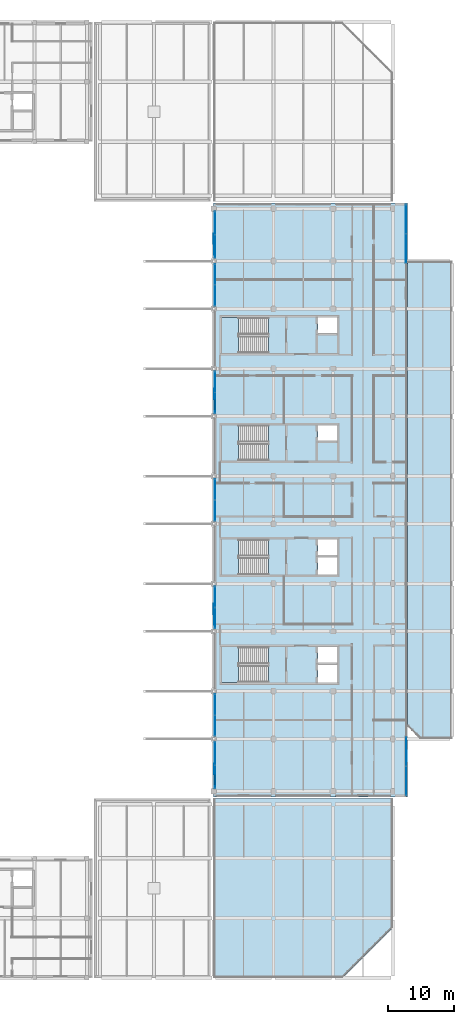
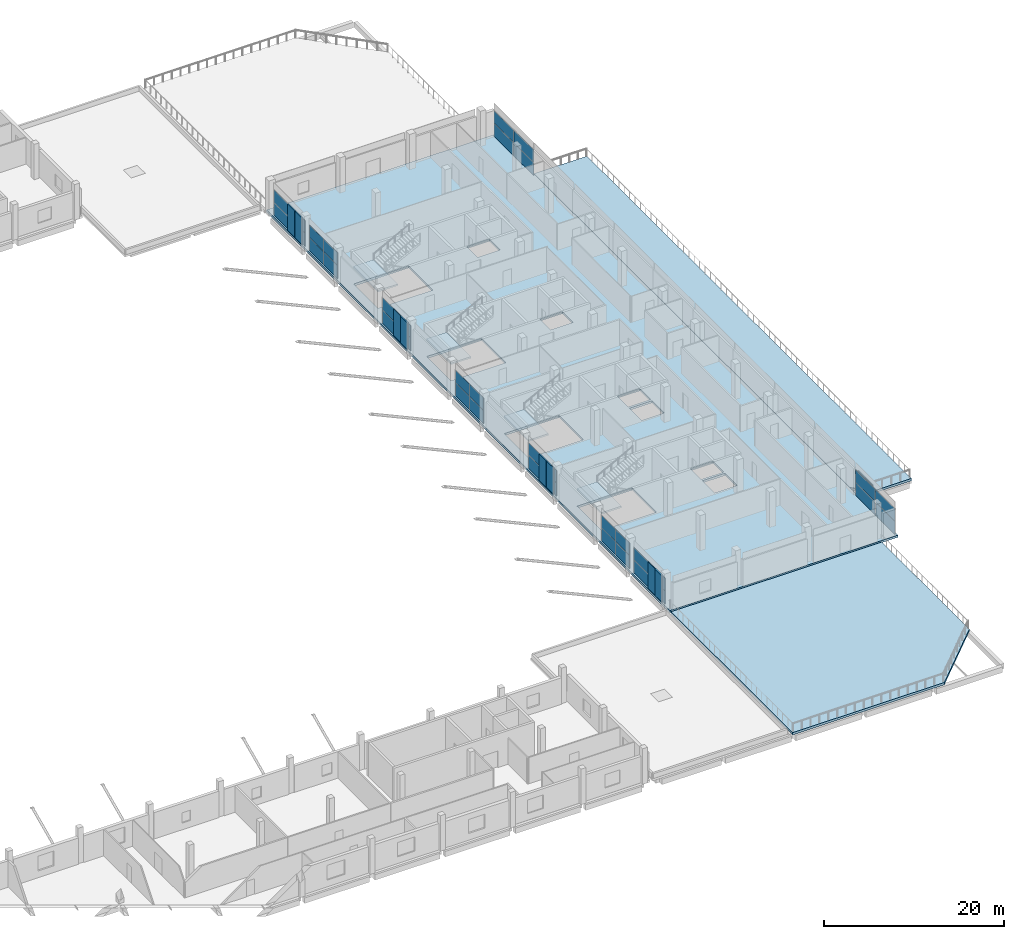
# One storey, part 40 of 82: 46 plates, 7 slabs, 13 elements without a shape of their own.
"""IFC4 building model written with IfcOpenShell, lengths in metres."""

from ifc_helpers import new_model, si_unit, direction, frame, origin, origin_2d, place, context, subcontext, project, spatial, polyline, rectangle, outline, extrude, material, layer, layer_set, type_object, element, aggregate, save


model = new_model("IFC4")

# Units and contexts
model_context = context("Model", 3, precision=1e-05, world=origin(), true_north=direction((0.0, 1.0)))
body_context = subcontext(model_context, "Body", "Model", "MODEL_VIEW")
ifc_project = project(units=[si_unit("LENGTHUNIT", "METRE"), si_unit("AREAUNIT", "SQUARE_METRE"), si_unit("VOLUMEUNIT", "CUBIC_METRE"), si_unit("PLANEANGLEUNIT", "RADIAN"), si_unit("MASSUNIT", "GRAM", prefix="KILO"), si_unit("THERMODYNAMICTEMPERATUREUNIT", "KELVIN"), si_unit("POWERUNIT", "WATT")], contexts=[model_context])

# Site, building, storey
site_placement = place(None, origin())
site = spatial("IfcSite", under=ifc_project, at=site_placement, CompositionType="ELEMENT")
building_placement = place(site_placement, origin())
building = spatial("IfcBuilding", under=site, at=building_placement, Name="Sindhuravela Promenade Stadium", CompositionType="ELEMENT")
storey_placement = place(building_placement, frame((0.0, 0.0, 14.39990234375)))
storey = spatial("IfcBuildingStorey", under=building, at=storey_placement, Name="L03", CompositionType="ELEMENT", Elevation=14.39990234375)

# Plates
ifc_material_1 = material(Name="Perforated terracotta celosia brick (15 MPa)", Category="masonry")
ifc_layer_1 = layer(ifc_material_1, 0.090087890625)
ifc_layer_set_1 = layer_set([ifc_layer_1], Name="Perforated terracotta celosia brick (15 MPa)")
plate_type_1 = type_object("IfcPlateType", Name="CL-SCR-01", PredefinedType="USERDEFINED", material=ifc_layer_set_1)
for number, where, z_axis, x_axis, name in (
    (1, (180.1201171875, 40.455078125, 0.0), (0.0, 0.0, 1.0), (0.0, 1.0, 0.0), "Perforated brick celosia screen EAST L03-120"),
    (2, (180.1201171875, 96.955078125, 0.0), (0.0, 0.0, 1.0), (0.0, 1.0, 0.0), "Perforated brick celosia screen EAST L03-124"),
    (3, (209.080078125, 42.409912109375, 0.0), (0.0, 0.0, 1.0), (0.0, -1.0, 0.0), "Perforated brick celosia screen EAST L03-128"),
):
    element("IfcPlate", number, at=place(storey_placement, frame(where, z_axis=z_axis, x_axis=x_axis)), inside=storey, type_object=plate_type_1, Name=name, ObjectType="SCREEN PANEL", PredefinedType="USERDEFINED", context=body_context, shape_type="SweptSolid", body=[
        extrude(rectangle(XDim=1.56005859375, YDim=0.090087890625, at=origin_2d()), origin(), (0.0, 0.0, 1.0), 3.580078125),
    ])
ifc_layer_2 = layer(ifc_material_1, 0.114990234375)
ifc_layer_set_2 = layer_set([ifc_layer_2], Name="Perforated terracotta celosia brick (15 MPa)")
plate_type_2 = type_object("IfcPlateType", Name="CL-SCR-02", PredefinedType="USERDEFINED", material=ifc_layer_set_2)
for number, where, z_axis, x_axis, name in (
    (4, (180.1201171875, 62.955078125, 0.0), (0.0, 0.0, 1.0), (0.0, 1.0, 0.0), "Perforated brick celosia screen EAST L03-121"),
    (5, (180.1201171875, 118.7548828125, 0.0), (0.0, 0.0, 1.0), (0.0, 1.0, 0.0), "Perforated brick celosia screen EAST L03-125"),
):
    element("IfcPlate", number, at=place(storey_placement, frame(where, z_axis=z_axis, x_axis=x_axis)), inside=storey, type_object=plate_type_2, Name=name, ObjectType="SCREEN PANEL", PredefinedType="USERDEFINED", context=body_context, shape_type="SweptSolid", body=[
        extrude(rectangle(XDim=1.56005859375, YDim=0.114990234375, at=origin_2d()), origin(), (0.0, 0.0, 1.0), 3.580078125),
    ])
ifc_layer_3 = layer(ifc_material_1, 0.139892578125)
ifc_layer_set_3 = layer_set([ifc_layer_3], Name="Perforated terracotta celosia brick (15 MPa)")
plate_type_3 = type_object("IfcPlateType", Name="CL-SCR-03", PredefinedType="USERDEFINED", material=ifc_layer_set_3)
for number, where, z_axis, x_axis, name in (
    (6, (180.1201171875, 64.554931640625, 0.0), (0.0, 0.0, 1.0), (0.0, 1.0, 0.0), "Perforated brick celosia screen EAST L03-122"),
    (7, (180.1201171875, 120.35498046875, 0.0), (0.0, 0.0, 1.0), (0.0, 1.0, 0.0), "Perforated brick celosia screen EAST L03-126"),
):
    element("IfcPlate", number, at=place(storey_placement, frame(where, z_axis=z_axis, x_axis=x_axis)), inside=storey, type_object=plate_type_3, Name=name, ObjectType="SCREEN PANEL", PredefinedType="USERDEFINED", context=body_context, shape_type="SweptSolid", body=[
        extrude(rectangle(XDim=1.56005859375, YDim=0.139892578125, at=origin_2d()), origin(), (0.0, 0.0, 1.0), 3.580078125),
    ])
ifc_layer_4 = layer(ifc_material_1, 0.1650390625)
ifc_layer_set_4 = layer_set([ifc_layer_4], Name="Perforated terracotta celosia brick (15 MPa)")
plate_type_4 = type_object("IfcPlateType", Name="CL-SCR-04", PredefinedType="USERDEFINED", material=ifc_layer_set_4)
for number, where, z_axis, x_axis, name in (
    (8, (180.1201171875, 38.85498046875, 0.0), (0.0, 0.0, 1.0), (0.0, 1.0, 0.0), "Perforated brick celosia screen EAST L03-119"),
    (9, (180.1201171875, 95.35498046875, 0.0), (0.0, 0.0, 1.0), (0.0, 1.0, 0.0), "Perforated brick celosia screen EAST L03-123"),
    (10, (209.080078125, 44.010009765625, 0.0), (0.0, 0.0, 1.0), (0.0, -1.0, 0.0), "Perforated brick celosia screen EAST L03-127"),
):
    element("IfcPlate", number, at=place(storey_placement, frame(where, z_axis=z_axis, x_axis=x_axis)), inside=storey, type_object=plate_type_4, Name=name, ObjectType="SCREEN PANEL", PredefinedType="USERDEFINED", context=body_context, shape_type="SweptSolid", body=[
        extrude(rectangle(XDim=1.56005859375, YDim=0.1650390625, at=origin_2d()), origin(), (0.0, 0.0, 1.0), 3.580078125),
    ])

# Curtain wall, plates
ifc_material_2 = material(Name="Anodised architectural aluminium 6063-T6", Category="aluminium")
curtain_wall_type_1 = type_object("IfcCurtainWallType", Name="CW-MOD-1", PredefinedType="NOTDEFINED", material=ifc_material_2)
curtain_wall_1_placement = place(storey_placement, origin())
curtain_wall_1 = element("IfcCurtainWall", 11, at=curtain_wall_1_placement, inside=storey, type_object=curtain_wall_type_1, Name="Bronze curtain wall CW-EAST-L03-120", PredefinedType="NOTDEFINED")
ifc_material_3 = material(Name="Tempered laminated low-E glass", Category="glass")
ifc_layer_5 = layer(ifc_material_3, 0.028076171875)
ifc_layer_set_5 = layer_set([ifc_layer_5], Name="Tempered laminated low-E glass")
plate_type_5 = type_object("IfcPlateType", Name="CW-PNL-01", PredefinedType="CURTAIN_PANEL", material=ifc_layer_set_5)
plate_1_placement = place(storey_placement, frame((180.199951171875, 39.300048828125, 0.01513671875), z_axis=(0.0, 0.0, 1.0), x_axis=(0.0, 1.0, 0.0)))
plate_1 = element("IfcPlate", 12, at=plate_1_placement, type_object=plate_type_5, Name="Glazed curtain panel CW-EAST-L03-120-P1.1", PredefinedType="CURTAIN_PANEL", context=body_context, shape_type="SweptSolid", body=[
    extrude(rectangle(XDim=3.43994140625, YDim=0.028076171875, at=origin_2d()), origin(), (0.0, 0.0, 1.0), 1.760009765625),
])
plate_2_placement = place(storey_placement, frame((180.199951171875, 39.300048828125, 1.80517578125), z_axis=(0.0, 0.0, 1.0), x_axis=(0.0, 1.0, 0.0)))
plate_2 = element("IfcPlate", 13, at=plate_2_placement, type_object=plate_type_5, Name="Glazed curtain panel CW-EAST-L03-120-P1.2", PredefinedType="CURTAIN_PANEL", context=body_context, shape_type="SweptSolid", body=[
    extrude(rectangle(XDim=3.43994140625, YDim=0.028076171875, at=origin_2d()), origin(), (0.0, 0.0, 1.0), 1.679931640625),
])
plate_3_placement = place(storey_placement, frame((180.199951171875, 42.800048828125, 0.01513671875), z_axis=(0.0, 0.0, 1.0), x_axis=(0.0, 1.0, 0.0)))
plate_3 = element("IfcPlate", 14, at=plate_3_placement, type_object=plate_type_5, Name="Glazed curtain panel CW-EAST-L03-120-P2.1", PredefinedType="CURTAIN_PANEL", context=body_context, shape_type="SweptSolid", body=[
    extrude(rectangle(XDim=3.43994140625, YDim=0.028076171875, at=origin_2d()), origin(), (0.0, 0.0, 1.0), 1.760009765625),
])
plate_4_placement = place(storey_placement, frame((180.199951171875, 42.800048828125, 1.80517578125), z_axis=(0.0, 0.0, 1.0), x_axis=(0.0, 1.0, 0.0)))
plate_4 = element("IfcPlate", 15, at=plate_4_placement, type_object=plate_type_5, Name="Glazed curtain panel CW-EAST-L03-120-P2.2", PredefinedType="CURTAIN_PANEL", context=body_context, shape_type="SweptSolid", body=[
    extrude(rectangle(XDim=3.43994140625, YDim=0.028076171875, at=origin_2d()), origin(), (0.0, 0.0, 1.0), 1.679931640625),
])
aggregate(curtain_wall_1, [plate_1, plate_2, plate_3, plate_4])

curtain_wall_type_2 = type_object("IfcCurtainWallType", Name="CW-MOD-3", PredefinedType="NOTDEFINED", material=ifc_material_2)
curtain_wall_2_placement = place(storey_placement, origin())
curtain_wall_2 = element("IfcCurtainWall", 16, at=curtain_wall_2_placement, inside=storey, type_object=curtain_wall_type_2, Name="Bronze curtain wall CW-EAST-L03-122", PredefinedType="NOTDEFINED")
plate_5_placement = place(storey_placement, frame((180.199951171875, 63.22509765625, 0.01513671875), z_axis=(0.0, 0.0, 1.0), x_axis=(0.0, 1.0, 0.0)))
plate_5 = element("IfcPlate", 17, at=plate_5_placement, type_object=plate_type_5, Name="Glazed curtain panel CW-EAST-L03-122-P1.1", PredefinedType="CURTAIN_PANEL", context=body_context, shape_type="SweptSolid", body=[
    extrude(rectangle(XDim=3.090087890625, YDim=0.028076171875, at=origin_2d()), origin(), (0.0, 0.0, 1.0), 1.760009765625),
])
plate_6_placement = place(storey_placement, frame((180.199951171875, 63.22509765625, 1.80517578125), z_axis=(0.0, 0.0, 1.0), x_axis=(0.0, 1.0, 0.0)))
plate_6 = element("IfcPlate", 18, at=plate_6_placement, type_object=plate_type_5, Name="Glazed curtain panel CW-EAST-L03-122-P1.2", PredefinedType="CURTAIN_PANEL", context=body_context, shape_type="SweptSolid", body=[
    extrude(rectangle(XDim=3.090087890625, YDim=0.028076171875, at=origin_2d()), origin(), (0.0, 0.0, 1.0), 1.679931640625),
])
plate_7_placement = place(storey_placement, frame((180.199951171875, 66.375, 0.01513671875), z_axis=(0.0, 0.0, 1.0), x_axis=(0.0, 1.0, 0.0)))
plate_7 = element("IfcPlate", 19, at=plate_7_placement, type_object=plate_type_5, Name="Glazed curtain panel CW-EAST-L03-122-P2.1", PredefinedType="CURTAIN_PANEL", context=body_context, shape_type="SweptSolid", body=[
    extrude(rectangle(XDim=3.090087890625, YDim=0.028076171875, at=origin_2d()), origin(), (0.0, 0.0, 1.0), 1.760009765625),
])
plate_8_placement = place(storey_placement, frame((180.199951171875, 66.375, 1.80517578125), z_axis=(0.0, 0.0, 1.0), x_axis=(0.0, 1.0, 0.0)))
plate_8 = element("IfcPlate", 20, at=plate_8_placement, type_object=plate_type_5, Name="Glazed curtain panel CW-EAST-L03-122-P2.2", PredefinedType="CURTAIN_PANEL", context=body_context, shape_type="SweptSolid", body=[
    extrude(rectangle(XDim=3.090087890625, YDim=0.028076171875, at=origin_2d()), origin(), (0.0, 0.0, 1.0), 1.679931640625),
])
aggregate(curtain_wall_2, [plate_5, plate_6, plate_7, plate_8])

curtain_wall_type_3 = type_object("IfcCurtainWallType", Name="CW-MOD-5", PredefinedType="NOTDEFINED", material=ifc_material_2)
curtain_wall_3_placement = place(storey_placement, origin())
curtain_wall_3 = element("IfcCurtainWall", 21, at=curtain_wall_3_placement, inside=storey, type_object=curtain_wall_type_3, Name="Bronze curtain wall CW-EAST-L03-124", PredefinedType="NOTDEFINED")
plate_9_placement = place(storey_placement, frame((180.199951171875, 95.625, 0.01513671875), z_axis=(0.0, 0.0, 1.0), x_axis=(0.0, 1.0, 0.0)))
plate_9 = element("IfcPlate", 22, at=plate_9_placement, type_object=plate_type_5, Name="Glazed curtain panel CW-EAST-L03-124-P1.1", PredefinedType="CURTAIN_PANEL", context=body_context, shape_type="SweptSolid", body=[
    extrude(rectangle(XDim=3.090087890625, YDim=0.028076171875, at=origin_2d()), origin(), (0.0, 0.0, 1.0), 1.760009765625),
])
plate_10_placement = place(storey_placement, frame((180.199951171875, 95.625, 1.80517578125), z_axis=(0.0, 0.0, 1.0), x_axis=(0.0, 1.0, 0.0)))
plate_10 = element("IfcPlate", 23, at=plate_10_placement, type_object=plate_type_5, Name="Glazed curtain panel CW-EAST-L03-124-P1.2", PredefinedType="CURTAIN_PANEL", context=body_context, shape_type="SweptSolid", body=[
    extrude(rectangle(XDim=3.090087890625, YDim=0.028076171875, at=origin_2d()), origin(), (0.0, 0.0, 1.0), 1.679931640625),
])
plate_11_placement = place(storey_placement, frame((180.199951171875, 98.77490234375, 0.01513671875), z_axis=(0.0, 0.0, 1.0), x_axis=(0.0, 1.0, 0.0)))
plate_11 = element("IfcPlate", 24, at=plate_11_placement, type_object=plate_type_5, Name="Glazed curtain panel CW-EAST-L03-124-P2.1", PredefinedType="CURTAIN_PANEL", context=body_context, shape_type="SweptSolid", body=[
    extrude(rectangle(XDim=3.090087890625, YDim=0.028076171875, at=origin_2d()), origin(), (0.0, 0.0, 1.0), 1.760009765625),
])
plate_12_placement = place(storey_placement, frame((180.199951171875, 98.77490234375, 1.80517578125), z_axis=(0.0, 0.0, 1.0), x_axis=(0.0, 1.0, 0.0)))
plate_12 = element("IfcPlate", 25, at=plate_12_placement, type_object=plate_type_5, Name="Glazed curtain panel CW-EAST-L03-124-P2.2", PredefinedType="CURTAIN_PANEL", context=body_context, shape_type="SweptSolid", body=[
    extrude(rectangle(XDim=3.090087890625, YDim=0.028076171875, at=origin_2d()), origin(), (0.0, 0.0, 1.0), 1.679931640625),
])
aggregate(curtain_wall_3, [plate_9, plate_10, plate_11, plate_12])

curtain_wall_type_4 = type_object("IfcCurtainWallType", Name="CW-MOD-7", PredefinedType="NOTDEFINED", material=ifc_material_2)
curtain_wall_4_placement = place(storey_placement, origin())
curtain_wall_4 = element("IfcCurtainWall", 26, at=curtain_wall_4_placement, inside=storey, type_object=curtain_wall_type_4, Name="Bronze curtain wall CW-EAST-L03-126", PredefinedType="NOTDEFINED")
plate_13_placement = place(storey_placement, frame((180.199951171875, 119.199951171875, 0.01513671875), z_axis=(0.0, 0.0, 1.0), x_axis=(0.0, 1.0, 0.0)))
plate_13 = element("IfcPlate", 27, at=plate_13_placement, type_object=plate_type_5, Name="Glazed curtain panel CW-EAST-L03-126-P1.1", PredefinedType="CURTAIN_PANEL", context=body_context, shape_type="SweptSolid", body=[
    extrude(rectangle(XDim=3.43994140625, YDim=0.028076171875, at=origin_2d()), origin(), (0.0, 0.0, 1.0), 1.760009765625),
])
plate_14_placement = place(storey_placement, frame((180.199951171875, 119.199951171875, 1.80517578125), z_axis=(0.0, 0.0, 1.0), x_axis=(0.0, 1.0, 0.0)))
plate_14 = element("IfcPlate", 28, at=plate_14_placement, type_object=plate_type_5, Name="Glazed curtain panel CW-EAST-L03-126-P1.2", PredefinedType="CURTAIN_PANEL", context=body_context, shape_type="SweptSolid", body=[
    extrude(rectangle(XDim=3.43994140625, YDim=0.028076171875, at=origin_2d()), origin(), (0.0, 0.0, 1.0), 1.679931640625),
])
plate_15_placement = place(storey_placement, frame((180.199951171875, 122.699951171875, 0.01513671875), z_axis=(0.0, 0.0, 1.0), x_axis=(0.0, 1.0, 0.0)))
plate_15 = element("IfcPlate", 29, at=plate_15_placement, type_object=plate_type_5, Name="Glazed curtain panel CW-EAST-L03-126-P2.1", PredefinedType="CURTAIN_PANEL", context=body_context, shape_type="SweptSolid", body=[
    extrude(rectangle(XDim=3.43994140625, YDim=0.028076171875, at=origin_2d()), origin(), (0.0, 0.0, 1.0), 1.760009765625),
])
plate_16_placement = place(storey_placement, frame((180.199951171875, 122.699951171875, 1.80517578125), z_axis=(0.0, 0.0, 1.0), x_axis=(0.0, 1.0, 0.0)))
plate_16 = element("IfcPlate", 30, at=plate_16_placement, type_object=plate_type_5, Name="Glazed curtain panel CW-EAST-L03-126-P2.2", PredefinedType="CURTAIN_PANEL", context=body_context, shape_type="SweptSolid", body=[
    extrude(rectangle(XDim=3.43994140625, YDim=0.028076171875, at=origin_2d()), origin(), (0.0, 0.0, 1.0), 1.679931640625),
])
aggregate(curtain_wall_4, [plate_13, plate_14, plate_15, plate_16])

curtain_wall_5_placement = place(storey_placement, origin())
curtain_wall_5 = element("IfcCurtainWall", 31, at=curtain_wall_5_placement, inside=storey, type_object=curtain_wall_type_1, Name="Bronze curtain wall CW-EAST-L03-128", PredefinedType="NOTDEFINED")
plate_17_placement = place(storey_placement, frame((209.0, 43.110107421875, 0.01513671875), z_axis=(0.0, 0.0, 1.0), x_axis=(0.0, -1.0, 0.0)))
plate_17 = element("IfcPlate", 32, at=plate_17_placement, type_object=plate_type_5, Name="Glazed curtain panel CW-EAST-L03-128-P1.1", PredefinedType="CURTAIN_PANEL", context=body_context, shape_type="SweptSolid", body=[
    extrude(rectangle(XDim=4.35009765625, YDim=0.028076171875, at=origin_2d()), origin(), (0.0, 0.0, 1.0), 1.760009765625),
])
plate_18_placement = place(storey_placement, frame((209.0, 43.110107421875, 1.80517578125), z_axis=(0.0, 0.0, 1.0), x_axis=(0.0, -1.0, 0.0)))
plate_18 = element("IfcPlate", 33, at=plate_18_placement, type_object=plate_type_5, Name="Glazed curtain panel CW-EAST-L03-128-P1.2", PredefinedType="CURTAIN_PANEL", context=body_context, shape_type="SweptSolid", body=[
    extrude(rectangle(XDim=4.35009765625, YDim=0.028076171875, at=origin_2d()), origin(), (0.0, 0.0, 1.0), 1.679931640625),
])
plate_19_placement = place(storey_placement, frame((209.0, 38.699951171875, 0.01513671875), z_axis=(0.0, 0.0, 1.0), x_axis=(0.0, -1.0, 0.0)))
plate_19 = element("IfcPlate", 34, at=plate_19_placement, type_object=plate_type_5, Name="Glazed curtain panel CW-EAST-L03-128-P2.1", PredefinedType="CURTAIN_PANEL", context=body_context, shape_type="SweptSolid", body=[
    extrude(rectangle(XDim=4.35009765625, YDim=0.028076171875, at=origin_2d()), origin(), (0.0, 0.0, 1.0), 1.760009765625),
])
plate_20_placement = place(storey_placement, frame((209.0, 38.699951171875, 1.80517578125), z_axis=(0.0, 0.0, 1.0), x_axis=(0.0, -1.0, 0.0)))
plate_20 = element("IfcPlate", 35, at=plate_20_placement, type_object=plate_type_5, Name="Glazed curtain panel CW-EAST-L03-128-P2.2", PredefinedType="CURTAIN_PANEL", context=body_context, shape_type="SweptSolid", body=[
    extrude(rectangle(XDim=4.35009765625, YDim=0.028076171875, at=origin_2d()), origin(), (0.0, 0.0, 1.0), 1.679931640625),
])
aggregate(curtain_wall_5, [plate_17, plate_18, plate_19, plate_20])

curtain_wall_type_5 = type_object("IfcCurtainWallType", Name="CW-MOD-2", PredefinedType="NOTDEFINED", material=ifc_material_2)
curtain_wall_6_placement = place(storey_placement, origin())
curtain_wall_6 = element("IfcCurtainWall", 36, at=curtain_wall_6_placement, inside=storey, type_object=curtain_wall_type_5, Name="Bronze curtain wall CW-EAST-L03-121", PredefinedType="NOTDEFINED")
ifc_layer_6 = layer(ifc_material_3, 0.0400390625)
ifc_layer_set_6 = layer_set([ifc_layer_6], Name="Tempered laminated low-E glass")
plate_type_6 = type_object("IfcPlateType", Name="CW-PNL-02", PredefinedType="CURTAIN_PANEL", material=ifc_layer_set_6)
plate_21_placement = place(storey_placement, frame((180.199951171875, 47.02490234375, 0.01513671875), z_axis=(0.0, 0.0, 1.0), x_axis=(0.0, 1.0, 0.0)))
plate_21 = element("IfcPlate", 37, at=plate_21_placement, type_object=plate_type_6, Name="Glazed curtain panel CW-EAST-L03-121-P1.1", PredefinedType="CURTAIN_PANEL", context=body_context, shape_type="SweptSolid", body=[
    extrude(rectangle(XDim=3.090087890625, YDim=0.0400390625, at=origin_2d()), origin(), (0.0, 0.0, 1.0), 1.760009765625),
])
plate_22_placement = place(storey_placement, frame((180.199951171875, 47.02490234375, 1.80517578125), z_axis=(0.0, 0.0, 1.0), x_axis=(0.0, 1.0, 0.0)))
plate_22 = element("IfcPlate", 38, at=plate_22_placement, type_object=plate_type_6, Name="Glazed curtain panel CW-EAST-L03-121-P1.2", PredefinedType="CURTAIN_PANEL", context=body_context, shape_type="SweptSolid", body=[
    extrude(rectangle(XDim=3.090087890625, YDim=0.0400390625, at=origin_2d()), origin(), (0.0, 0.0, 1.0), 1.679931640625),
])
plate_23_placement = place(storey_placement, frame((180.199951171875, 50.175048828125, 0.01513671875), z_axis=(0.0, 0.0, 1.0), x_axis=(0.0, 1.0, 0.0)))
plate_23 = element("IfcPlate", 39, at=plate_23_placement, type_object=plate_type_6, Name="Glazed curtain panel CW-EAST-L03-121-P2.1", PredefinedType="CURTAIN_PANEL", context=body_context, shape_type="SweptSolid", body=[
    extrude(rectangle(XDim=3.090087890625, YDim=0.0400390625, at=origin_2d()), origin(), (0.0, 0.0, 1.0), 1.760009765625),
])
plate_24_placement = place(storey_placement, frame((180.199951171875, 50.175048828125, 1.80517578125), z_axis=(0.0, 0.0, 1.0), x_axis=(0.0, 1.0, 0.0)))
plate_24 = element("IfcPlate", 40, at=plate_24_placement, type_object=plate_type_6, Name="Glazed curtain panel CW-EAST-L03-121-P2.2", PredefinedType="CURTAIN_PANEL", context=body_context, shape_type="SweptSolid", body=[
    extrude(rectangle(XDim=3.090087890625, YDim=0.0400390625, at=origin_2d()), origin(), (0.0, 0.0, 1.0), 1.679931640625),
])
aggregate(curtain_wall_6, [plate_21, plate_22, plate_23, plate_24])

curtain_wall_type_6 = type_object("IfcCurtainWallType", Name="CW-MOD-4", PredefinedType="NOTDEFINED", material=ifc_material_2)
curtain_wall_7_placement = place(storey_placement, origin())
curtain_wall_7 = element("IfcCurtainWall", 41, at=curtain_wall_7_placement, inside=storey, type_object=curtain_wall_type_6, Name="Bronze curtain wall CW-EAST-L03-123", PredefinedType="NOTDEFINED")
plate_25_placement = place(storey_placement, frame((180.199951171875, 79.425048828125, 0.01513671875), z_axis=(0.0, 0.0, 1.0), x_axis=(0.0, 1.0, 0.0)))
plate_25 = element("IfcPlate", 42, at=plate_25_placement, type_object=plate_type_6, Name="Glazed curtain panel CW-EAST-L03-123-P1.1", PredefinedType="CURTAIN_PANEL", context=body_context, shape_type="SweptSolid", body=[
    extrude(rectangle(XDim=3.090087890625, YDim=0.0400390625, at=origin_2d()), origin(), (0.0, 0.0, 1.0), 1.760009765625),
])
plate_26_placement = place(storey_placement, frame((180.199951171875, 79.425048828125, 1.80517578125), z_axis=(0.0, 0.0, 1.0), x_axis=(0.0, 1.0, 0.0)))
plate_26 = element("IfcPlate", 43, at=plate_26_placement, type_object=plate_type_6, Name="Glazed curtain panel CW-EAST-L03-123-P1.2", PredefinedType="CURTAIN_PANEL", context=body_context, shape_type="SweptSolid", body=[
    extrude(rectangle(XDim=3.090087890625, YDim=0.0400390625, at=origin_2d()), origin(), (0.0, 0.0, 1.0), 1.679931640625),
])
plate_27_placement = place(storey_placement, frame((180.199951171875, 82.574951171875, 0.01513671875), z_axis=(0.0, 0.0, 1.0), x_axis=(0.0, 1.0, 0.0)))
plate_27 = element("IfcPlate", 44, at=plate_27_placement, type_object=plate_type_6, Name="Glazed curtain panel CW-EAST-L03-123-P2.1", PredefinedType="CURTAIN_PANEL", context=body_context, shape_type="SweptSolid", body=[
    extrude(rectangle(XDim=3.090087890625, YDim=0.0400390625, at=origin_2d()), origin(), (0.0, 0.0, 1.0), 1.760009765625),
])
plate_28_placement = place(storey_placement, frame((180.199951171875, 82.574951171875, 1.80517578125), z_axis=(0.0, 0.0, 1.0), x_axis=(0.0, 1.0, 0.0)))
plate_28 = element("IfcPlate", 45, at=plate_28_placement, type_object=plate_type_6, Name="Glazed curtain panel CW-EAST-L03-123-P2.2", PredefinedType="CURTAIN_PANEL", context=body_context, shape_type="SweptSolid", body=[
    extrude(rectangle(XDim=3.090087890625, YDim=0.0400390625, at=origin_2d()), origin(), (0.0, 0.0, 1.0), 1.679931640625),
])
aggregate(curtain_wall_7, [plate_25, plate_26, plate_27, plate_28])

curtain_wall_type_7 = type_object("IfcCurtainWallType", Name="CW-MOD-6", PredefinedType="NOTDEFINED", material=ifc_material_2)
curtain_wall_8_placement = place(storey_placement, origin())
curtain_wall_8 = element("IfcCurtainWall", 46, at=curtain_wall_8_placement, inside=storey, type_object=curtain_wall_type_7, Name="Bronze curtain wall CW-EAST-L03-125", PredefinedType="NOTDEFINED")
plate_29_placement = place(storey_placement, frame((180.199951171875, 111.824951171875, 0.01513671875), z_axis=(0.0, 0.0, 1.0), x_axis=(0.0, 1.0, 0.0)))
plate_29 = element("IfcPlate", 47, at=plate_29_placement, type_object=plate_type_6, Name="Glazed curtain panel CW-EAST-L03-125-P1.1", PredefinedType="CURTAIN_PANEL", context=body_context, shape_type="SweptSolid", body=[
    extrude(rectangle(XDim=3.090087890625, YDim=0.0400390625, at=origin_2d()), origin(), (0.0, 0.0, 1.0), 1.760009765625),
])
plate_30_placement = place(storey_placement, frame((180.199951171875, 111.824951171875, 1.80517578125), z_axis=(0.0, 0.0, 1.0), x_axis=(0.0, 1.0, 0.0)))
plate_30 = element("IfcPlate", 48, at=plate_30_placement, type_object=plate_type_6, Name="Glazed curtain panel CW-EAST-L03-125-P1.2", PredefinedType="CURTAIN_PANEL", context=body_context, shape_type="SweptSolid", body=[
    extrude(rectangle(XDim=3.090087890625, YDim=0.0400390625, at=origin_2d()), origin(), (0.0, 0.0, 1.0), 1.679931640625),
])
plate_31_placement = place(storey_placement, frame((180.199951171875, 114.97509765625, 0.01513671875), z_axis=(0.0, 0.0, 1.0), x_axis=(0.0, 1.0, 0.0)))
plate_31 = element("IfcPlate", 49, at=plate_31_placement, type_object=plate_type_6, Name="Glazed curtain panel CW-EAST-L03-125-P2.1", PredefinedType="CURTAIN_PANEL", context=body_context, shape_type="SweptSolid", body=[
    extrude(rectangle(XDim=3.090087890625, YDim=0.0400390625, at=origin_2d()), origin(), (0.0, 0.0, 1.0), 1.760009765625),
])
plate_32_placement = place(storey_placement, frame((180.199951171875, 114.97509765625, 1.80517578125), z_axis=(0.0, 0.0, 1.0), x_axis=(0.0, 1.0, 0.0)))
plate_32 = element("IfcPlate", 50, at=plate_32_placement, type_object=plate_type_6, Name="Glazed curtain panel CW-EAST-L03-125-P2.2", PredefinedType="CURTAIN_PANEL", context=body_context, shape_type="SweptSolid", body=[
    extrude(rectangle(XDim=3.090087890625, YDim=0.0400390625, at=origin_2d()), origin(), (0.0, 0.0, 1.0), 1.679931640625),
])
aggregate(curtain_wall_8, [plate_29, plate_30, plate_31, plate_32])

curtain_wall_type_8 = type_object("IfcCurtainWallType", Name="CW-MOD-8", PredefinedType="NOTDEFINED", material=ifc_material_2)
curtain_wall_9_placement = place(storey_placement, origin())
curtain_wall_9 = element("IfcCurtainWall", 51, at=curtain_wall_9_placement, inside=storey, type_object=curtain_wall_type_8, Name="Bronze curtain wall CW-EAST-L03-127", PredefinedType="NOTDEFINED")
plate_33_placement = place(storey_placement, frame((209.0, 123.300048828125, 0.01513671875), z_axis=(0.0, 0.0, 1.0), x_axis=(0.0, -1.0, 0.0)))
plate_33 = element("IfcPlate", 52, at=plate_33_placement, type_object=plate_type_6, Name="Glazed curtain panel CW-EAST-L03-127-P1.1", PredefinedType="CURTAIN_PANEL", context=body_context, shape_type="SweptSolid", body=[
    extrude(rectangle(XDim=4.35009765625, YDim=0.0400390625, at=origin_2d()), origin(), (0.0, 0.0, 1.0), 1.760009765625),
])
plate_34_placement = place(storey_placement, frame((209.0, 123.300048828125, 1.80517578125), z_axis=(0.0, 0.0, 1.0), x_axis=(0.0, -1.0, 0.0)))
plate_34 = element("IfcPlate", 53, at=plate_34_placement, type_object=plate_type_6, Name="Glazed curtain panel CW-EAST-L03-127-P1.2", PredefinedType="CURTAIN_PANEL", context=body_context, shape_type="SweptSolid", body=[
    extrude(rectangle(XDim=4.35009765625, YDim=0.0400390625, at=origin_2d()), origin(), (0.0, 0.0, 1.0), 1.679931640625),
])
plate_35_placement = place(storey_placement, frame((209.0, 118.889892578125, 0.01513671875), z_axis=(0.0, 0.0, 1.0), x_axis=(0.0, -1.0, 0.0)))
plate_35 = element("IfcPlate", 54, at=plate_35_placement, type_object=plate_type_6, Name="Glazed curtain panel CW-EAST-L03-127-P2.1", PredefinedType="CURTAIN_PANEL", context=body_context, shape_type="SweptSolid", body=[
    extrude(rectangle(XDim=4.35009765625, YDim=0.0400390625, at=origin_2d()), origin(), (0.0, 0.0, 1.0), 1.760009765625),
])
plate_36_placement = place(storey_placement, frame((209.0, 118.889892578125, 1.80517578125), z_axis=(0.0, 0.0, 1.0), x_axis=(0.0, -1.0, 0.0)))
plate_36 = element("IfcPlate", 55, at=plate_36_placement, type_object=plate_type_6, Name="Glazed curtain panel CW-EAST-L03-127-P2.2", PredefinedType="CURTAIN_PANEL", context=body_context, shape_type="SweptSolid", body=[
    extrude(rectangle(XDim=4.35009765625, YDim=0.0400390625, at=origin_2d()), origin(), (0.0, 0.0, 1.0), 1.679931640625),
])
aggregate(curtain_wall_9, [plate_33, plate_34, plate_35, plate_36])

# Slab
ifc_material_4 = material(Name="Concrete M40", Category="concrete")
ifc_layer_7 = layer(ifc_material_4, 0.300048828125)
ifc_layer_set_7 = layer_set([ifc_layer_7], Name="Concrete M40")
slab_type_1 = type_object("IfcSlabType", Name="SL-FLR-300", PredefinedType="FLOOR", material=ifc_layer_set_7)
slab_1_placement = place(storey_placement, frame((0.0, 0.0, -0.2998046875)))
element("IfcSlab", 56, at=slab_1_placement, inside=storey, type_object=slab_type_1, Name="Floor slab EAST L03", PredefinedType="FLOOR", context=body_context, shape_type="SweptSolid", body=[
    extrude(outline(polyline([(180.0, 36.25), (209.199951171875, 36.25), (209.199951171875, 125.75), (180.0, 125.75), (180.0, 36.25)]), holes=[polyline([(181.199951171875, 53.5), (188.249267578125, 53.5), (188.249267578125, 58.89990234375), (181.199951171875, 58.89990234375), (181.199951171875, 53.5)]), polyline([(195.699951171875, 56.5), (198.60009765625, 56.5), (198.60009765625, 58.89990234375), (195.699951171875, 58.89990234375), (195.699951171875, 56.5)]), polyline([(195.699951171875, 53.5), (198.60009765625, 53.5), (198.60009765625, 56.199951171875), (195.699951171875, 56.199951171875), (195.699951171875, 53.5)]), polyline([(181.199951171875, 69.699951171875), (188.249267578125, 69.699951171875), (188.249267578125, 75.10009765625), (181.199951171875, 75.10009765625), (181.199951171875, 69.699951171875)]), polyline([(195.699951171875, 72.699951171875), (198.60009765625, 72.699951171875), (198.60009765625, 75.10009765625), (195.699951171875, 75.10009765625), (195.699951171875, 72.699951171875)]), polyline([(195.699951171875, 69.699951171875), (198.60009765625, 69.699951171875), (198.60009765625, 72.39990234375), (195.699951171875, 72.39990234375), (195.699951171875, 69.699951171875)]), polyline([(181.199951171875, 86.89990234375), (188.249267578125, 86.89990234375), (188.249267578125, 92.300048828125), (181.199951171875, 92.300048828125), (181.199951171875, 86.89990234375)]), polyline([(195.699951171875, 89.89990234375), (198.60009765625, 89.89990234375), (198.60009765625, 92.300048828125), (195.699951171875, 92.300048828125), (195.699951171875, 89.89990234375)]), polyline([(181.199951171875, 103.10009765625), (188.249267578125, 103.10009765625), (188.249267578125, 108.5), (181.199951171875, 108.5), (181.199951171875, 103.10009765625)]), polyline([(195.699951171875, 106.10009765625), (198.60009765625, 106.10009765625), (198.60009765625, 108.5), (195.699951171875, 108.5), (195.699951171875, 106.10009765625)])]), origin(), (0.0, 0.0, 1.0), 0.2998046875),
])

# Stair, slab
stair_type = type_object("IfcStairType", Name="ST-CORE-DOGLEG", PredefinedType="HALF_TURN_STAIR", material=ifc_material_4)
stair_1_placement = place(storey_placement, origin())
stair_1 = element("IfcStair", 57, at=stair_1_placement, inside=storey, type_object=stair_type, Name="Protected escape stair ST05 (L03)", PredefinedType="HALF_TURN_STAIR")
ifc_layer_8 = layer(ifc_material_4, 0.219970703125)
ifc_layer_set_8 = layer_set([ifc_layer_8], Name="Concrete M40")
slab_type_2 = type_object("IfcSlabType", Name="SL-LND-220", PredefinedType="LANDING", material=ifc_layer_set_8)
slab_2_placement = place(storey_placement, frame((0.0, 0.0, 2.18017578125)))
slab_2 = element("IfcSlab", 58, at=slab_2_placement, type_object=slab_type_2, Name="Stair ST05 half-landing (L03)", PredefinedType="LANDING", context=body_context, shape_type="SweptSolid", body=[
    extrude(outline(polyline([(181.179931640625, 53.47998046875), (183.751953125, 53.47998046875), (183.751953125, 58.919921875), (181.179931640625, 58.919921875), (181.179931640625, 53.47998046875)])), origin(), (0.0, 0.0, 1.0), 0.219970703125),
])
aggregate(stair_1, [slab_2])

stair_2_placement = place(storey_placement, origin())
stair_2 = element("IfcStair", 59, at=stair_2_placement, inside=storey, type_object=stair_type, Name="Protected escape stair ST06 (L03)", PredefinedType="HALF_TURN_STAIR")
slab_3_placement = place(storey_placement, frame((0.0, 0.0, 2.18017578125)))
slab_3 = element("IfcSlab", 60, at=slab_3_placement, type_object=slab_type_2, Name="Stair ST06 half-landing (L03)", PredefinedType="LANDING", context=body_context, shape_type="SweptSolid", body=[
    extrude(outline(polyline([(181.179931640625, 69.679931640625), (183.751953125, 69.679931640625), (183.751953125, 75.1201171875), (181.179931640625, 75.1201171875), (181.179931640625, 69.679931640625)])), origin(), (0.0, 0.0, 1.0), 0.219970703125),
])
aggregate(stair_2, [slab_3])

stair_3_placement = place(storey_placement, origin())
stair_3 = element("IfcStair", 61, at=stair_3_placement, inside=storey, type_object=stair_type, Name="Protected escape stair ST07 (L03)", PredefinedType="HALF_TURN_STAIR")
slab_4_placement = place(storey_placement, frame((0.0, 0.0, 2.18017578125)))
slab_4 = element("IfcSlab", 62, at=slab_4_placement, type_object=slab_type_2, Name="Stair ST07 half-landing (L03)", PredefinedType="LANDING", context=body_context, shape_type="SweptSolid", body=[
    extrude(outline(polyline([(181.179931640625, 86.8798828125), (183.751953125, 86.8798828125), (183.751953125, 92.320068359375), (181.179931640625, 92.320068359375), (181.179931640625, 86.8798828125)])), origin(), (0.0, 0.0, 1.0), 0.219970703125),
])
aggregate(stair_3, [slab_4])

stair_4_placement = place(storey_placement, origin())
stair_4 = element("IfcStair", 63, at=stair_4_placement, inside=storey, type_object=stair_type, Name="Protected escape stair ST08 (L03)", PredefinedType="HALF_TURN_STAIR")
slab_5_placement = place(storey_placement, frame((0.0, 0.0, 2.18017578125)))
slab_5 = element("IfcSlab", 64, at=slab_5_placement, type_object=slab_type_2, Name="Stair ST08 half-landing (L03)", PredefinedType="LANDING", context=body_context, shape_type="SweptSolid", body=[
    extrude(outline(polyline([(181.179931640625, 103.080078125), (183.751953125, 103.080078125), (183.751953125, 108.52001953125), (181.179931640625, 108.52001953125), (181.179931640625, 103.080078125)])), origin(), (0.0, 0.0, 1.0), 0.219970703125),
])
aggregate(stair_4, [slab_5])

# Slabs
ifc_layer_9 = layer(ifc_material_4, 0.31005859375)
ifc_layer_set_9 = layer_set([ifc_layer_9], Name="Concrete M40")
slab_type_3 = type_object("IfcSlabType", Name="SL-TER-310", PredefinedType="FLOOR", material=ifc_layer_set_9)
slab_6_placement = place(storey_placement, frame((0.0, 0.0, -0.309814453125)))
element("IfcSlab", 65, at=slab_6_placement, inside=storey, type_object=slab_type_3, Name="SE Gate Pavilion Planted Roof Garden", PredefinedType="FLOOR", context=body_context, shape_type="SweptSolid", body=[
    extrude(outline(polyline([(180.0, 9.0), (199.43994140625, 9.0), (207.0, 16.56005859375), (207.0, 36.0), (180.0, 36.0), (180.0, 9.0)])), origin(), (0.0, 0.0, 1.0), 0.309814453125),
])
slab_7_placement = place(storey_placement, frame((0.0, 0.0, -0.309814453125)))
element("IfcSlab", 66, at=slab_7_placement, inside=storey, type_object=slab_type_3, Name="East Promenade Planted Roof Garden", PredefinedType="FLOOR", context=body_context, shape_type="SweptSolid", body=[
    extrude(outline(polyline([(211.10009765625, 45.0), (216.0, 45.0), (216.0, 117.0), (209.199951171875, 117.0), (209.199951171875, 46.89990234375), (211.10009765625, 45.0)])), origin(), (0.0, 0.0, 1.0), 0.309814453125),
])

save(model, "model.ifc")
